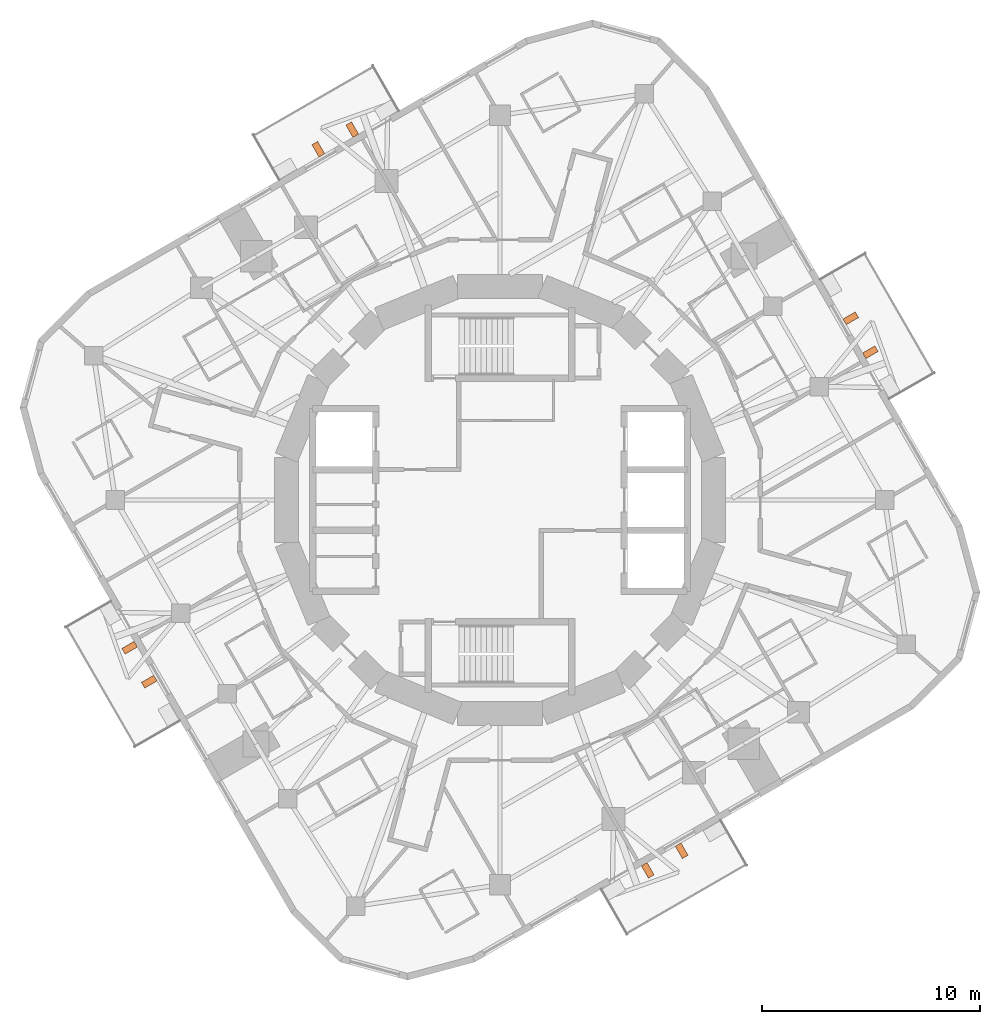
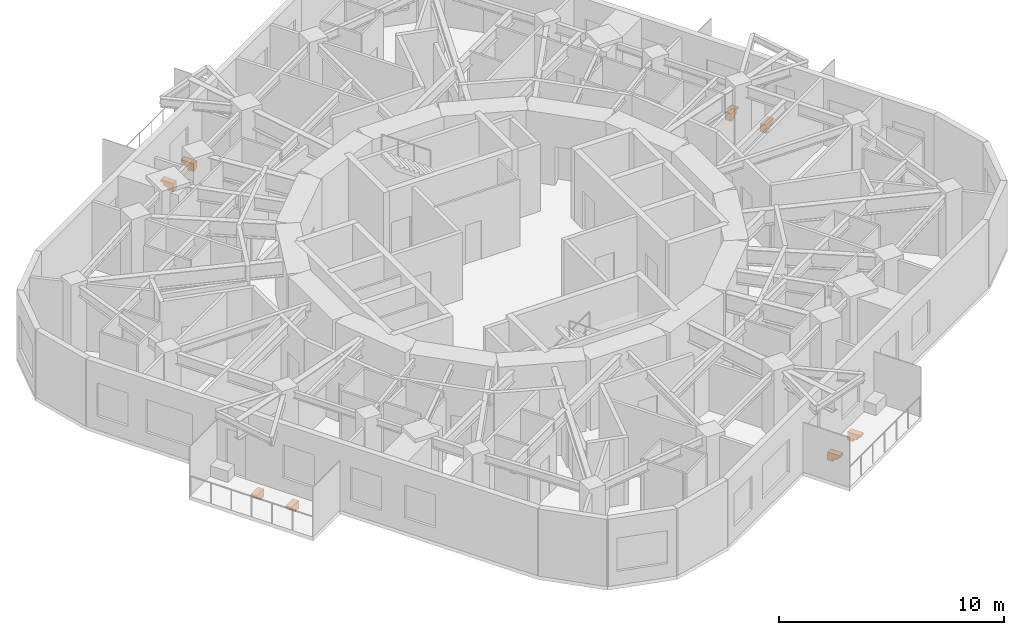
# One storey, part 11 of 11: 8 proxies.
"""IFC4 building model written with IfcOpenShell, lengths in metres."""

from ifc_helpers import new_model, si_unit, direction, frame, origin, place, context, subcontext, project, spatial, polyline, outline, extrude, material, type_object, element, save


model = new_model("IFC4")

# Units and contexts
model_context = context("Model", 3, precision=1e-05, world=origin(), true_north=direction((0.0, 1.0)))
body_context = subcontext(model_context, "Body", "Model", "MODEL_VIEW")
ifc_project = project(units=[si_unit("LENGTHUNIT", "METRE"), si_unit("AREAUNIT", "SQUARE_METRE"), si_unit("VOLUMEUNIT", "CUBIC_METRE"), si_unit("PLANEANGLEUNIT", "RADIAN"), si_unit("MASSUNIT", "GRAM", prefix="KILO")], contexts=[model_context])

# Site, building, storey
site_placement = place(None, origin())
site = spatial("IfcSite", under=ifc_project, at=site_placement, CompositionType="ELEMENT")
building_placement = place(site_placement, origin())
building = spatial("IfcBuilding", under=site, at=building_placement, Name="Nakasero Lantern House", CompositionType="ELEMENT")
storey_placement = place(building_placement, frame((0.0, 0.0, 230.800048828125)))
storey = spatial("IfcBuildingStorey", under=building, at=storey_placement, Name="L56", CompositionType="ELEMENT", Elevation=230.800048828125)

# Proxies
ifc_material = material(Name="Concrete C40/50 precast", Category="concrete")
building_element_proxy_type = type_object("IfcBuildingElementProxyType", Name="Balcony bracket 300", PredefinedType="USERDEFINED", material=ifc_material)
for number, where, z_axis, x_axis, name in (
    (1, (16.7294921875, 6.62353515625, -0.199951171875), (0.0, 0.0, 1.0), (0.866025404, 0.5, 0.0), "Balcony bracket L56 0A"),
    (2, (15.82958984375, 8.182373046875, -0.199951171875), (0.0, 0.0, 1.0), (0.866025404, 0.5, 0.0), "Balcony bracket L56 0B"),
    (3, (-6.62353515625, 16.7294921875, -0.199951171875), (0.0, 0.0, 1.0), (-0.5, 0.866025404, 0.0), "Balcony bracket L56 1A"),
    (4, (-8.182373046875, 15.82958984375, -0.199951171875), (0.0, 0.0, 1.0), (-0.5, 0.866025404, 0.0), "Balcony bracket L56 1B"),
    (5, (-16.7294921875, -6.62353515625, -0.199951171875), (0.0, 0.0, 1.0), (-0.866025404, -0.5, 0.0), "Balcony bracket L56 2A"),
    (6, (-15.82958984375, -8.182373046875, -0.199951171875), (0.0, 0.0, 1.0), (-0.866025404, -0.5, 0.0), "Balcony bracket L56 2B"),
    (7, (6.62353515625, -16.7294921875, -0.199951171875), (0.0, 0.0, 1.0), (0.5, -0.866025404, 0.0), "Balcony bracket L56 3A"),
    (8, (8.182373046875, -15.82958984375, -0.199951171875), (0.0, 0.0, 1.0), (0.5, -0.866025404, 0.0), "Balcony bracket L56 3B"),
):
    element("IfcBuildingElementProxy", number, at=place(storey_placement, frame(where, z_axis=z_axis, x_axis=x_axis)), inside=storey, type_object=building_element_proxy_type, Name=name, ObjectType="BALCONY BRACKET", PredefinedType="USERDEFINED", context=body_context, shape_type="SweptSolid", body=[
        extrude(outline(polyline([(0.0, 0.0), (0.64990234375, 0.0), (0.64990234375, -0.1201171875), (0.5, -0.1201171875), (0.5, -0.280029296875), (0.300048828125, -0.280029296875), (0.300048828125, -0.43994140625), (0.0, -0.43994140625), (0.0, 0.0)])), frame((0.0, 0.14990234375, 0.0), z_axis=(0.0, -1.0, 0.0), x_axis=(1.0, 0.0, 0.0)), (0.0, 0.0, 1.0), 0.300048828125),
    ])

save(model, "model.ifc")
